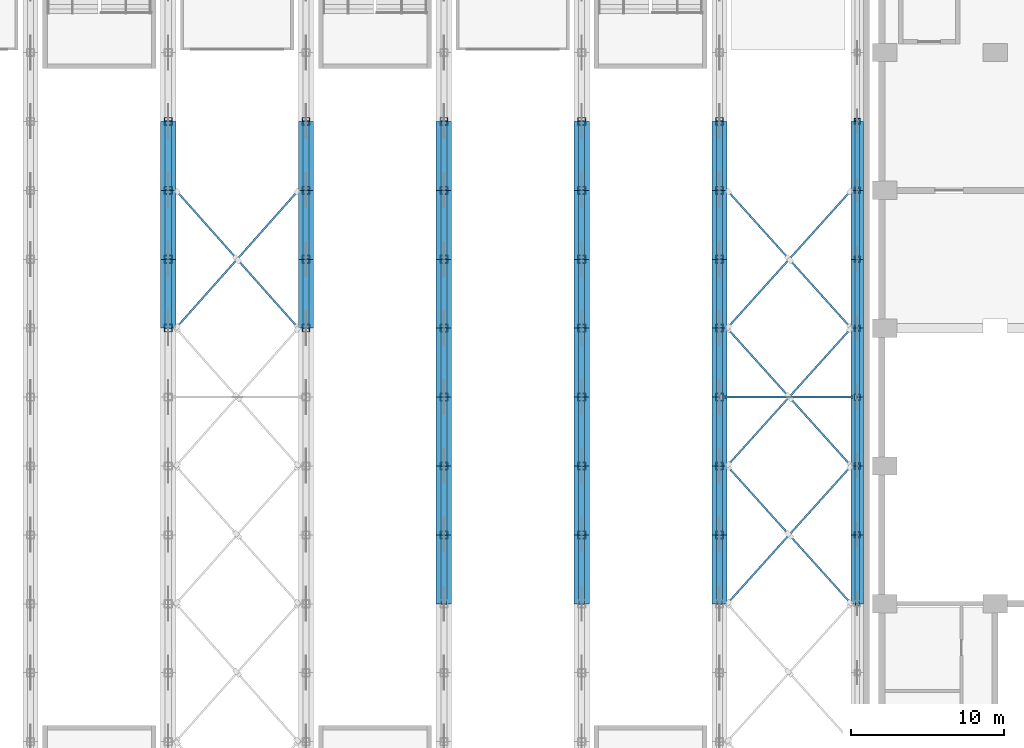
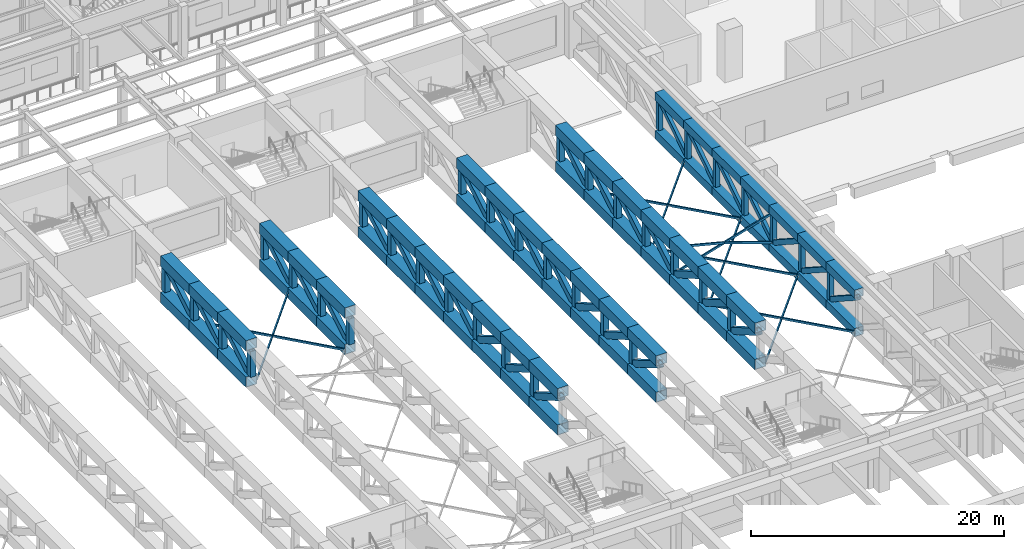
# One storey, part 16 of 76: 153 members.
"""IFC4 building model written with IfcOpenShell, lengths in metres."""

from ifc_helpers import new_model, si_unit, direction, frame, origin, origin_2d, place, context, subcontext, project, spatial, hollow_rectangle, extrude, material, material_profile, profile_set, type_object, element, save


model = new_model("IFC4")

# Units and contexts
model_context = context("Model", 3, precision=1e-05, world=origin(), true_north=direction((0.0, 1.0)))
body_context = subcontext(model_context, "Body", "Model", "MODEL_VIEW")
ifc_project = project(units=[si_unit("LENGTHUNIT", "METRE"), si_unit("AREAUNIT", "SQUARE_METRE"), si_unit("VOLUMEUNIT", "CUBIC_METRE"), si_unit("PLANEANGLEUNIT", "RADIAN"), si_unit("MASSUNIT", "GRAM", prefix="KILO")], contexts=[model_context])

# Site, building, storey
site_placement = place(None, origin())
site = spatial("IfcSite", under=ifc_project, at=site_placement, CompositionType="ELEMENT")
building_placement = place(site_placement, origin())
building = spatial("IfcBuilding", under=site, at=building_placement, Name="Aravalli Gate Trade Fair Centre", CompositionType="ELEMENT")
storey_placement = place(building_placement, frame((0.0, 0.0, 10.0)))
storey = spatial("IfcBuildingStorey", under=building, at=storey_placement, Name="L02", CompositionType="ELEMENT", Elevation=10.0)

# Members
ifc_material = material(Name="Steel E350", Category="steel")
ifc_material_profile_1 = material_profile(ifc_material, hollow_rectangle(XDim=0.1201171875, YDim=0.199951171875, WallThickness=0.008056640625, at=origin_2d()), Name="RHS 200x120x8")
ifc_profile_set_1 = profile_set([ifc_material_profile_1], Name="Steel E350")
member_type_1 = type_object("IfcMemberType", Name="Cross frame brace RHS 200x120x8", PredefinedType="BRACE", material=ifc_profile_set_1)
member_1_placement = place(storey_placement, frame((60.5, 82.0, 0.5), z_axis=(0.66436383883, 0.747409318684, 0.0), x_axis=(-0.747409318684, 0.66436383883, 0.0)))
element("IfcMember", 1, at=member_1_placement, inside=storey, type_object=member_type_1, Name="FT plan brace bay 7 cell 5A", PredefinedType="BRACE", context=body_context, shape_type="SweptSolid", body=[
    extrude(hollow_rectangle(XDim=0.1201171875, YDim=0.199951171875, WallThickness=0.008056640625, at=origin_2d()), origin(), (0.0, 0.0, 1.0), 12.04150390625),
])
for number, where, z_axis, x_axis, name in (
    (2, (60.5, 91.0, 0.5), (0.66436383883, -0.747409318684, 0.0), (0.747409318684, 0.66436383883, 0.0), "FT plan brace bay 7 cell 5B half 1"),
    (3, (64.5, 86.5, 0.5), (0.66436383883, -0.747409318684, 0.0), (0.747409318684, 0.66436383883, 0.0), "FT plan brace bay 7 cell 5B half 2"),
):
    element("IfcMember", number, at=place(storey_placement, frame(where, z_axis=z_axis, x_axis=x_axis)), inside=storey, type_object=member_type_1, Name=name, PredefinedType="BRACE", context=body_context, shape_type="SweptSolid", body=[
        extrude(hollow_rectangle(XDim=0.1201171875, YDim=0.199951171875, WallThickness=0.008056640625, at=origin_2d()), origin(), (0.0, 0.0, 1.0), 6.020751953125),
    ])
member_2_placement = place(storey_placement, frame((96.5, 64.0, 0.5), z_axis=(0.66896918753, 0.743290135906, 0.0), x_axis=(-0.743290135906, 0.66896918753, 0.0)))
element("IfcMember", 4, at=member_2_placement, inside=storey, type_object=member_type_1, Name="FT plan brace bay 11 cell 3A", PredefinedType="BRACE", context=body_context, shape_type="SweptSolid", body=[
    extrude(hollow_rectangle(XDim=0.1201171875, YDim=0.199951171875, WallThickness=0.008056640625, at=origin_2d()), origin(), (0.0, 0.0, 1.0), 12.1083984375),
])
for number, where, z_axis, x_axis, name in (
    (5, (96.5, 73.0, 0.5), (0.66896918753, -0.743290135906, 0.0), (0.743290135906, 0.66896918753, 0.0), "FT plan brace bay 11 cell 3B half 1"),
    (6, (100.550048828125, 68.5, 0.5), (0.66896918753, -0.743290135906, 0.0), (0.743290135906, 0.66896918753, 0.0), "FT plan brace bay 11 cell 3B half 2"),
):
    element("IfcMember", number, at=place(storey_placement, frame(where, z_axis=z_axis, x_axis=x_axis)), inside=storey, type_object=member_type_1, Name=name, PredefinedType="BRACE", context=body_context, shape_type="SweptSolid", body=[
        extrude(hollow_rectangle(XDim=0.1201171875, YDim=0.199951171875, WallThickness=0.008056640625, at=origin_2d()), origin(), (0.0, 0.0, 1.0), 6.05419921875),
    ])
member_3_placement = place(storey_placement, frame((96.5, 73.0, 0.5), z_axis=(0.66896918753, 0.743290135906, 0.0), x_axis=(-0.743290135906, 0.66896918753, 0.0)))
element("IfcMember", 7, at=member_3_placement, inside=storey, type_object=member_type_1, Name="FT plan brace bay 11 cell 4A", PredefinedType="BRACE", context=body_context, shape_type="SweptSolid", body=[
    extrude(hollow_rectangle(XDim=0.1201171875, YDim=0.199951171875, WallThickness=0.008056640625, at=origin_2d()), origin(), (0.0, 0.0, 1.0), 12.1083984375),
])
for number, where, z_axis, x_axis, name in (
    (8, (96.5, 82.0, 0.5), (0.66896918753, -0.743290135906, 0.0), (0.743290135906, 0.66896918753, 0.0), "FT plan brace bay 11 cell 4B half 1"),
    (9, (100.550048828125, 77.5, 0.5), (0.66896918753, -0.743290135906, 0.0), (0.743290135906, 0.66896918753, 0.0), "FT plan brace bay 11 cell 4B half 2"),
):
    element("IfcMember", number, at=place(storey_placement, frame(where, z_axis=z_axis, x_axis=x_axis)), inside=storey, type_object=member_type_1, Name=name, PredefinedType="BRACE", context=body_context, shape_type="SweptSolid", body=[
        extrude(hollow_rectangle(XDim=0.1201171875, YDim=0.199951171875, WallThickness=0.008056640625, at=origin_2d()), origin(), (0.0, 0.0, 1.0), 6.05419921875),
    ])
member_4_placement = place(storey_placement, frame((96.5, 82.0, 0.5), z_axis=(0.66896918753, 0.743290135906, 0.0), x_axis=(-0.743290135906, 0.66896918753, 0.0)))
element("IfcMember", 10, at=member_4_placement, inside=storey, type_object=member_type_1, Name="FT plan brace bay 11 cell 5A", PredefinedType="BRACE", context=body_context, shape_type="SweptSolid", body=[
    extrude(hollow_rectangle(XDim=0.1201171875, YDim=0.199951171875, WallThickness=0.008056640625, at=origin_2d()), origin(), (0.0, 0.0, 1.0), 12.1083984375),
])
for number, where, z_axis, x_axis, name in (
    (11, (96.5, 91.0, 0.5), (0.66896918753, -0.743290135906, 0.0), (0.743290135906, 0.66896918753, 0.0), "FT plan brace bay 11 cell 5B half 1"),
    (12, (100.550048828125, 86.5, 0.5), (0.66896918753, -0.743290135906, 0.0), (0.743290135906, 0.66896918753, 0.0), "FT plan brace bay 11 cell 5B half 2"),
):
    element("IfcMember", number, at=place(storey_placement, frame(where, z_axis=z_axis, x_axis=x_axis)), inside=storey, type_object=member_type_1, Name=name, PredefinedType="BRACE", context=body_context, shape_type="SweptSolid", body=[
        extrude(hollow_rectangle(XDim=0.1201171875, YDim=0.199951171875, WallThickness=0.008056640625, at=origin_2d()), origin(), (0.0, 0.0, 1.0), 6.05419921875),
    ])
member_5_placement = place(storey_placement, frame((96.0, 77.5, 1.0), z_axis=(0.957827715452, 0.0, 0.287343118088), x_axis=(0.0, 1.0, 0.0)))
element("IfcMember", 13, at=member_5_placement, inside=storey, type_object=member_type_1, Name="FT vertical brace bay 11 frame 2A", PredefinedType="BRACE", context=body_context, shape_type="SweptSolid", body=[
    extrude(hollow_rectangle(XDim=0.1201171875, YDim=0.199951171875, WallThickness=0.008056640625, at=origin_2d()), origin(), (0.0, 0.0, 1.0), 9.396240234375),
])
member_6_placement = place(storey_placement, frame((96.0, 77.5, 3.5), z_axis=(0.968867829559, 0.0, -0.247578530665), x_axis=(0.0, 1.0, 0.0)))
element("IfcMember", 14, at=member_6_placement, inside=storey, type_object=member_type_1, Name="FT vertical brace bay 11 frame 2B half 1", PredefinedType="BRACE", context=body_context, shape_type="SweptSolid", body=[
    extrude(hollow_rectangle(XDim=0.1201171875, YDim=0.199951171875, WallThickness=0.008056640625, at=origin_2d()), origin(), (0.0, 0.0, 1.0), 4.64453125),
])
member_7_placement = place(storey_placement, frame((100.5, 77.5, 2.35009765625), z_axis=(0.945481407862, 0.0, -0.325676077394), x_axis=(0.0, 1.0, 0.0)))
element("IfcMember", 15, at=member_7_placement, inside=storey, type_object=member_type_1, Name="FT vertical brace bay 11 frame 2B half 2", PredefinedType="BRACE", context=body_context, shape_type="SweptSolid", body=[
    extrude(hollow_rectangle(XDim=0.1201171875, YDim=0.199951171875, WallThickness=0.008056640625, at=origin_2d()), origin(), (0.0, 0.0, 1.0), 4.759521484375),
])
ifc_material_profile_2 = material_profile(ifc_material, hollow_rectangle(XDim=1.0, YDim=1.0, WallThickness=0.050048828125, at=origin_2d()), Name="BOX 1000x1000x50")
ifc_profile_set_2 = profile_set([ifc_material_profile_2], Name="Steel E350")
member_type_2 = type_object("IfcMemberType", Name="FT1 chord BOX 1000x1000x50", PredefinedType="CHORD", material=ifc_profile_set_2)
for number, where, z_axis, x_axis, name in (
    (16, (60.0, 82.0, 0.5), (0.0, 1.0, 0.0), (-1.0, 0.0, 0.0), "FT1 line 7 bottom chord 9"),
    (17, (60.0, 82.0, 4.0), (0.0, 1.0, 0.0), (-1.0, 0.0, 0.0), "FT1 line 7 top chord 9"),
    (18, (60.0, 86.5, 0.5), (0.0, 1.0, 0.0), (-1.0, 0.0, 0.0), "FT1 line 7 bottom chord 10"),
    (19, (60.0, 86.5, 4.0), (0.0, 1.0, 0.0), (-1.0, 0.0, 0.0), "FT1 line 7 top chord 10"),
    (20, (60.0, 91.0, 0.5), (0.0, 1.0, 0.0), (-1.0, 0.0, 0.0), "FT1 line 7 bottom chord 11"),
    (21, (60.0, 91.0, 4.0), (0.0, 1.0, 0.0), (-1.0, 0.0, 0.0), "FT1 line 7 top chord 11"),
    (22, (69.0, 82.0, 0.5), (0.0, 1.0, 0.0), (-1.0, 0.0, 0.0), "FT1 line 8 bottom chord 9"),
    (23, (69.0, 82.0, 4.0), (0.0, 1.0, 0.0), (-1.0, 0.0, 0.0), "FT1 line 8 top chord 9"),
    (24, (69.0, 86.5, 0.5), (0.0, 1.0, 0.0), (-1.0, 0.0, 0.0), "FT1 line 8 bottom chord 10"),
    (25, (69.0, 86.5, 4.0), (0.0, 1.0, 0.0), (-1.0, 0.0, 0.0), "FT1 line 8 top chord 10"),
    (26, (69.0, 91.0, 0.5), (0.0, 1.0, 0.0), (-1.0, 0.0, 0.0), "FT1 line 8 bottom chord 11"),
    (27, (69.0, 91.0, 4.0), (0.0, 1.0, 0.0), (-1.0, 0.0, 0.0), "FT1 line 8 top chord 11"),
    (28, (78.0, 64.0, 0.5), (0.0, 1.0, 0.0), (-1.0, 0.0, 0.0), "FT1 line 9 bottom chord 5"),
    (29, (78.0, 64.0, 4.0), (0.0, 1.0, 0.0), (-1.0, 0.0, 0.0), "FT1 line 9 top chord 5"),
    (30, (78.0, 68.5, 0.5), (0.0, 1.0, 0.0), (-1.0, 0.0, 0.0), "FT1 line 9 bottom chord 6"),
    (31, (78.0, 68.5, 4.0), (0.0, 1.0, 0.0), (-1.0, 0.0, 0.0), "FT1 line 9 top chord 6"),
    (32, (78.0, 73.0, 0.5), (0.0, 1.0, 0.0), (-1.0, 0.0, 0.0), "FT1 line 9 bottom chord 7"),
    (33, (78.0, 73.0, 4.0), (0.0, 1.0, 0.0), (-1.0, 0.0, 0.0), "FT1 line 9 top chord 7"),
    (34, (78.0, 77.5, 0.5), (0.0, 1.0, 0.0), (-1.0, 0.0, 0.0), "FT1 line 9 bottom chord 8"),
    (35, (78.0, 77.5, 4.0), (0.0, 1.0, 0.0), (-1.0, 0.0, 0.0), "FT1 line 9 top chord 8"),
    (36, (78.0, 82.0, 0.5), (0.0, 1.0, 0.0), (-1.0, 0.0, 0.0), "FT1 line 9 bottom chord 9"),
    (37, (78.0, 82.0, 4.0), (0.0, 1.0, 0.0), (-1.0, 0.0, 0.0), "FT1 line 9 top chord 9"),
    (38, (78.0, 86.5, 0.5), (0.0, 1.0, 0.0), (-1.0, 0.0, 0.0), "FT1 line 9 bottom chord 10"),
    (39, (78.0, 86.5, 4.0), (0.0, 1.0, 0.0), (-1.0, 0.0, 0.0), "FT1 line 9 top chord 10"),
    (40, (78.0, 91.0, 0.5), (0.0, 1.0, 0.0), (-1.0, 0.0, 0.0), "FT1 line 9 bottom chord 11"),
    (41, (78.0, 91.0, 4.0), (0.0, 1.0, 0.0), (-1.0, 0.0, 0.0), "FT1 line 9 top chord 11"),
    (42, (87.0, 64.0, 0.5), (0.0, 1.0, 0.0), (-1.0, 0.0, 0.0), "FT1 line 10 bottom chord 5"),
    (43, (87.0, 64.0, 4.0), (0.0, 1.0, 0.0), (-1.0, 0.0, 0.0), "FT1 line 10 top chord 5"),
    (44, (87.0, 68.5, 0.5), (0.0, 1.0, 0.0), (-1.0, 0.0, 0.0), "FT1 line 10 bottom chord 6"),
    (45, (87.0, 68.5, 4.0), (0.0, 1.0, 0.0), (-1.0, 0.0, 0.0), "FT1 line 10 top chord 6"),
    (46, (87.0, 73.0, 0.5), (0.0, 1.0, 0.0), (-1.0, 0.0, 0.0), "FT1 line 10 bottom chord 7"),
    (47, (87.0, 73.0, 4.0), (0.0, 1.0, 0.0), (-1.0, 0.0, 0.0), "FT1 line 10 top chord 7"),
    (48, (87.0, 77.5, 0.5), (0.0, 1.0, 0.0), (-1.0, 0.0, 0.0), "FT1 line 10 bottom chord 8"),
    (49, (87.0, 77.5, 4.0), (0.0, 1.0, 0.0), (-1.0, 0.0, 0.0), "FT1 line 10 top chord 8"),
    (50, (87.0, 82.0, 0.5), (0.0, 1.0, 0.0), (-1.0, 0.0, 0.0), "FT1 line 10 bottom chord 9"),
    (51, (87.0, 82.0, 4.0), (0.0, 1.0, 0.0), (-1.0, 0.0, 0.0), "FT1 line 10 top chord 9"),
    (52, (87.0, 86.5, 0.5), (0.0, 1.0, 0.0), (-1.0, 0.0, 0.0), "FT1 line 10 bottom chord 10"),
    (53, (87.0, 86.5, 4.0), (0.0, 1.0, 0.0), (-1.0, 0.0, 0.0), "FT1 line 10 top chord 10"),
    (54, (87.0, 91.0, 0.5), (0.0, 1.0, 0.0), (-1.0, 0.0, 0.0), "FT1 line 10 bottom chord 11"),
    (55, (87.0, 91.0, 4.0), (0.0, 1.0, 0.0), (-1.0, 0.0, 0.0), "FT1 line 10 top chord 11"),
    (56, (96.0, 64.0, 0.5), (0.0, 1.0, 0.0), (-1.0, 0.0, 0.0), "FT1 line 11 bottom chord 5"),
    (57, (96.0, 64.0, 4.0), (0.0, 1.0, 0.0), (-1.0, 0.0, 0.0), "FT1 line 11 top chord 5"),
    (58, (96.0, 68.5, 0.5), (0.0, 1.0, 0.0), (-1.0, 0.0, 0.0), "FT1 line 11 bottom chord 6"),
    (59, (96.0, 68.5, 4.0), (0.0, 1.0, 0.0), (-1.0, 0.0, 0.0), "FT1 line 11 top chord 6"),
    (60, (96.0, 73.0, 0.5), (0.0, 1.0, 0.0), (-1.0, 0.0, 0.0), "FT1 line 11 bottom chord 7"),
    (61, (96.0, 73.0, 4.0), (0.0, 1.0, 0.0), (-1.0, 0.0, 0.0), "FT1 line 11 top chord 7"),
    (62, (96.0, 77.5, 0.5), (0.0, 1.0, 0.0), (-1.0, 0.0, 0.0), "FT1 line 11 bottom chord 8"),
    (63, (96.0, 77.5, 4.0), (0.0, 1.0, 0.0), (-1.0, 0.0, 0.0), "FT1 line 11 top chord 8"),
    (64, (96.0, 82.0, 0.5), (0.0, 1.0, 0.0), (-1.0, 0.0, 0.0), "FT1 line 11 bottom chord 9"),
    (65, (96.0, 82.0, 4.0), (0.0, 1.0, 0.0), (-1.0, 0.0, 0.0), "FT1 line 11 top chord 9"),
    (66, (96.0, 86.5, 0.5), (0.0, 1.0, 0.0), (-1.0, 0.0, 0.0), "FT1 line 11 bottom chord 10"),
    (67, (96.0, 86.5, 4.0), (0.0, 1.0, 0.0), (-1.0, 0.0, 0.0), "FT1 line 11 top chord 10"),
    (68, (96.0, 91.0, 0.5), (0.0, 1.0, 0.0), (-1.0, 0.0, 0.0), "FT1 line 11 bottom chord 11"),
    (69, (96.0, 91.0, 4.0), (0.0, 1.0, 0.0), (-1.0, 0.0, 0.0), "FT1 line 11 top chord 11"),
):
    element("IfcMember", number, at=place(storey_placement, frame(where, z_axis=z_axis, x_axis=x_axis)), inside=storey, type_object=member_type_2, Name=name, PredefinedType="CHORD", context=body_context, shape_type="SweptSolid", body=[
        extrude(hollow_rectangle(XDim=1.0, YDim=1.0, WallThickness=0.050048828125, at=origin_2d()), origin(), (0.0, 0.0, 1.0), 4.5),
    ])
ifc_material_profile_3 = material_profile(ifc_material, hollow_rectangle(XDim=0.39990234375, YDim=0.60009765625, WallThickness=0.030029296875, at=origin_2d()), Name="RHS 600x400x30")
ifc_profile_set_3 = profile_set([ifc_material_profile_3], Name="Steel E350")
member_type_3 = type_object("IfcMemberType", Name="FT1 diagonal RHS 600x400x30", PredefinedType="BRACE", material=ifc_profile_set_3)
for number, where, z_axis, x_axis, name in (
    (70, (60.0, 86.39501953125, 3.5), (0.0, -0.863999951417, -0.503491890651), (1.0, 0.0, 0.0), "FT1 line 7 diagonal 9"),
    (71, (60.0, 90.89501953125, 3.5), (0.0, -0.863999951417, -0.503491890651), (1.0, 0.0, 0.0), "FT1 line 7 diagonal 10"),
    (72, (60.0, 95.39501953125, 3.5), (0.0, -0.863999951417, -0.503491890651), (1.0, 0.0, 0.0), "FT1 line 7 diagonal 11"),
    (73, (69.0, 86.39501953125, 3.5), (0.0, -0.863999951417, -0.503491890651), (1.0, 0.0, 0.0), "FT1 line 8 diagonal 9"),
    (74, (69.0, 90.89501953125, 3.5), (0.0, -0.863999951417, -0.503491890651), (1.0, 0.0, 0.0), "FT1 line 8 diagonal 10"),
    (75, (69.0, 95.39501953125, 3.5), (0.0, -0.863999951417, -0.503491890651), (1.0, 0.0, 0.0), "FT1 line 8 diagonal 11"),
    (76, (78.0, 64.10498046875, 3.5), (0.0, 0.863999951417, -0.503491890651), (-1.0, 0.0, 0.0), "FT1 line 9 diagonal 5"),
    (77, (78.0, 68.60498046875, 3.5), (0.0, 0.863999951417, -0.503491890651), (-1.0, 0.0, 0.0), "FT1 line 9 diagonal 6"),
    (78, (78.0, 73.10498046875, 3.5), (0.0, 0.863999951417, -0.503491890651), (-1.0, 0.0, 0.0), "FT1 line 9 diagonal 7"),
    (79, (78.0, 81.89501953125, 3.5), (0.0, -0.863999951417, -0.503491890651), (1.0, 0.0, 0.0), "FT1 line 9 diagonal 8"),
    (80, (78.0, 86.39501953125, 3.5), (0.0, -0.863999951417, -0.503491890651), (1.0, 0.0, 0.0), "FT1 line 9 diagonal 9"),
    (81, (78.0, 90.89501953125, 3.5), (0.0, -0.863999951417, -0.503491890651), (1.0, 0.0, 0.0), "FT1 line 9 diagonal 10"),
    (82, (78.0, 95.39501953125, 3.5), (0.0, -0.863999951417, -0.503491890651), (1.0, 0.0, 0.0), "FT1 line 9 diagonal 11"),
    (83, (87.0, 64.10498046875, 3.5), (0.0, 0.863999951417, -0.503491890651), (-1.0, 0.0, 0.0), "FT1 line 10 diagonal 5"),
    (84, (87.0, 68.60498046875, 3.5), (0.0, 0.863999951417, -0.503491890651), (-1.0, 0.0, 0.0), "FT1 line 10 diagonal 6"),
    (85, (87.0, 73.10498046875, 3.5), (0.0, 0.863999951417, -0.503491890651), (-1.0, 0.0, 0.0), "FT1 line 10 diagonal 7"),
    (86, (87.0, 81.89501953125, 3.5), (0.0, -0.863999951417, -0.503491890651), (1.0, 0.0, 0.0), "FT1 line 10 diagonal 8"),
    (87, (87.0, 86.39501953125, 3.5), (0.0, -0.863999951417, -0.503491890651), (1.0, 0.0, 0.0), "FT1 line 10 diagonal 9"),
    (88, (87.0, 90.89501953125, 3.5), (0.0, -0.863999951417, -0.503491890651), (1.0, 0.0, 0.0), "FT1 line 10 diagonal 10"),
    (89, (87.0, 95.39501953125, 3.5), (0.0, -0.863999951417, -0.503491890651), (1.0, 0.0, 0.0), "FT1 line 10 diagonal 11"),
    (90, (96.0, 64.10498046875, 3.5), (0.0, 0.863999951417, -0.503491890651), (-1.0, 0.0, 0.0), "FT1 line 11 diagonal 5"),
    (91, (96.0, 68.60498046875, 3.5), (0.0, 0.863999951417, -0.503491890651), (-1.0, 0.0, 0.0), "FT1 line 11 diagonal 6"),
    (92, (96.0, 73.10498046875, 3.5), (0.0, 0.863999951417, -0.503491890651), (-1.0, 0.0, 0.0), "FT1 line 11 diagonal 7"),
    (93, (96.0, 81.89501953125, 3.5), (0.0, -0.863999951417, -0.503491890651), (1.0, 0.0, 0.0), "FT1 line 11 diagonal 8"),
    (94, (96.0, 86.39501953125, 3.5), (0.0, -0.863999951417, -0.503491890651), (1.0, 0.0, 0.0), "FT1 line 11 diagonal 9"),
    (95, (96.0, 90.89501953125, 3.5), (0.0, -0.863999951417, -0.503491890651), (1.0, 0.0, 0.0), "FT1 line 11 diagonal 10"),
    (96, (96.0, 95.39501953125, 3.5), (0.0, -0.863999951417, -0.503491890651), (1.0, 0.0, 0.0), "FT1 line 11 diagonal 11"),
):
    element("IfcMember", number, at=place(storey_placement, frame(where, z_axis=z_axis, x_axis=x_axis)), inside=storey, type_object=member_type_3, Name=name, PredefinedType="BRACE", context=body_context, shape_type="SweptSolid", body=[
        extrude(hollow_rectangle(XDim=0.39990234375, YDim=0.60009765625, WallThickness=0.030029296875, at=origin_2d()), origin(), (0.0, 0.0, 1.0), 4.96533203125),
    ])
ifc_material_profile_4 = material_profile(ifc_material, hollow_rectangle(XDim=0.5, YDim=0.5, WallThickness=0.02490234375, at=origin_2d()), Name="BOX 500x500x25")
ifc_profile_set_4 = profile_set([ifc_material_profile_4], Name="Steel E350")
member_type_4 = type_object("IfcMemberType", Name="FT1 post BOX 500x500x25", PredefinedType="POST", material=ifc_profile_set_4)
for number, where, z_axis, x_axis, name in (
    (97, (60.0, 82.0, 1.0), (0.0, 0.0, 1.0), (1.0, 0.0, 0.0), "FT1 line 7 post 8"),
    (98, (60.0, 86.5, 1.0), (0.0, 0.0, 1.0), (1.0, 0.0, 0.0), "FT1 line 7 post 9"),
    (99, (60.0, 91.0, 1.0), (0.0, 0.0, 1.0), (1.0, 0.0, 0.0), "FT1 line 7 post 10"),
    (100, (60.0, 95.5, 1.0), (0.0, 0.0, 1.0), (1.0, 0.0, 0.0), "FT1 line 7 post 11"),
    (101, (69.0, 82.0, 1.0), (0.0, 0.0, 1.0), (1.0, 0.0, 0.0), "FT1 line 8 post 8"),
    (102, (69.0, 86.5, 1.0), (0.0, 0.0, 1.0), (1.0, 0.0, 0.0), "FT1 line 8 post 9"),
    (103, (69.0, 91.0, 1.0), (0.0, 0.0, 1.0), (1.0, 0.0, 0.0), "FT1 line 8 post 10"),
    (104, (69.0, 95.5, 1.0), (0.0, 0.0, 1.0), (1.0, 0.0, 0.0), "FT1 line 8 post 11"),
    (105, (78.0, 68.5, 1.0), (0.0, 0.0, 1.0), (1.0, 0.0, 0.0), "FT1 line 9 post 5"),
    (106, (78.0, 73.0, 1.0), (0.0, 0.0, 1.0), (1.0, 0.0, 0.0), "FT1 line 9 post 6"),
    (107, (78.0, 77.5, 1.0), (0.0, 0.0, 1.0), (1.0, 0.0, 0.0), "FT1 line 9 post 7"),
    (108, (78.0, 82.0, 1.0), (0.0, 0.0, 1.0), (1.0, 0.0, 0.0), "FT1 line 9 post 8"),
    (109, (78.0, 86.5, 1.0), (0.0, 0.0, 1.0), (1.0, 0.0, 0.0), "FT1 line 9 post 9"),
    (110, (78.0, 91.0, 1.0), (0.0, 0.0, 1.0), (1.0, 0.0, 0.0), "FT1 line 9 post 10"),
    (111, (78.0, 95.5, 1.0), (0.0, 0.0, 1.0), (1.0, 0.0, 0.0), "FT1 line 9 post 11"),
    (112, (87.0, 68.5, 1.0), (0.0, 0.0, 1.0), (1.0, 0.0, 0.0), "FT1 line 10 post 5"),
    (113, (87.0, 73.0, 1.0), (0.0, 0.0, 1.0), (1.0, 0.0, 0.0), "FT1 line 10 post 6"),
    (114, (87.0, 77.5, 1.0), (0.0, 0.0, 1.0), (1.0, 0.0, 0.0), "FT1 line 10 post 7"),
    (115, (87.0, 82.0, 1.0), (0.0, 0.0, 1.0), (1.0, 0.0, 0.0), "FT1 line 10 post 8"),
    (116, (87.0, 86.5, 1.0), (0.0, 0.0, 1.0), (1.0, 0.0, 0.0), "FT1 line 10 post 9"),
    (117, (87.0, 91.0, 1.0), (0.0, 0.0, 1.0), (1.0, 0.0, 0.0), "FT1 line 10 post 10"),
    (118, (87.0, 95.5, 1.0), (0.0, 0.0, 1.0), (1.0, 0.0, 0.0), "FT1 line 10 post 11"),
    (119, (96.0, 68.5, 1.0), (0.0, 0.0, 1.0), (1.0, 0.0, 0.0), "FT1 line 11 post 5"),
    (120, (96.0, 73.0, 1.0), (0.0, 0.0, 1.0), (1.0, 0.0, 0.0), "FT1 line 11 post 6"),
    (121, (96.0, 77.5, 1.0), (0.0, 0.0, 1.0), (1.0, 0.0, 0.0), "FT1 line 11 post 7"),
    (122, (96.0, 82.0, 1.0), (0.0, 0.0, 1.0), (1.0, 0.0, 0.0), "FT1 line 11 post 8"),
    (123, (96.0, 86.5, 1.0), (0.0, 0.0, 1.0), (1.0, 0.0, 0.0), "FT1 line 11 post 9"),
    (124, (96.0, 91.0, 1.0), (0.0, 0.0, 1.0), (1.0, 0.0, 0.0), "FT1 line 11 post 10"),
    (125, (96.0, 95.5, 1.0), (0.0, 0.0, 1.0), (1.0, 0.0, 0.0), "FT1 line 11 post 11"),
):
    element("IfcMember", number, at=place(storey_placement, frame(where, z_axis=z_axis, x_axis=x_axis)), inside=storey, type_object=member_type_4, Name=name, PredefinedType="POST", context=body_context, shape_type="SweptSolid", body=[
        extrude(hollow_rectangle(XDim=0.5, YDim=0.5, WallThickness=0.02490234375, at=origin_2d()), origin(), (0.0, 0.0, 1.0), 2.5),
    ])
ifc_material_profile_5 = material_profile(ifc_material, hollow_rectangle(XDim=0.800048828125, YDim=0.800048828125, WallThickness=0.0400390625, at=origin_2d()), Name="BOX 800x800x40")
ifc_profile_set_5 = profile_set([ifc_material_profile_5], Name="Steel E350")
member_type_5 = type_object("IfcMemberType", Name="FT2 chord BOX 800x800x40", PredefinedType="CHORD", material=ifc_profile_set_5)
for number, where, z_axis, x_axis, name in (
    (126, (105.0, 64.0, 0.39990234375), (0.0, 1.0, 0.0), (-1.0, 0.0, 0.0), "FT2 line 12 bottom chord 5"),
    (127, (105.0, 64.0, 4.10009765625), (0.0, 1.0, 0.0), (-1.0, 0.0, 0.0), "FT2 line 12 top chord 5"),
    (128, (105.0, 68.5, 0.39990234375), (0.0, 1.0, 0.0), (-1.0, 0.0, 0.0), "FT2 line 12 bottom chord 6"),
    (129, (105.0, 68.5, 4.10009765625), (0.0, 1.0, 0.0), (-1.0, 0.0, 0.0), "FT2 line 12 top chord 6"),
    (130, (105.0, 73.0, 0.39990234375), (0.0, 1.0, 0.0), (-1.0, 0.0, 0.0), "FT2 line 12 bottom chord 7"),
    (131, (105.0, 73.0, 4.10009765625), (0.0, 1.0, 0.0), (-1.0, 0.0, 0.0), "FT2 line 12 top chord 7"),
    (132, (105.0, 77.5, 0.39990234375), (0.0, 1.0, 0.0), (-1.0, 0.0, 0.0), "FT2 line 12 bottom chord 8"),
    (133, (105.0, 77.5, 4.10009765625), (0.0, 1.0, 0.0), (-1.0, 0.0, 0.0), "FT2 line 12 top chord 8"),
    (134, (105.0, 82.0, 0.39990234375), (0.0, 1.0, 0.0), (-1.0, 0.0, 0.0), "FT2 line 12 bottom chord 9"),
    (135, (105.0, 82.0, 4.10009765625), (0.0, 1.0, 0.0), (-1.0, 0.0, 0.0), "FT2 line 12 top chord 9"),
    (136, (105.0, 86.5, 0.39990234375), (0.0, 1.0, 0.0), (-1.0, 0.0, 0.0), "FT2 line 12 bottom chord 10"),
    (137, (105.0, 86.5, 4.10009765625), (0.0, 1.0, 0.0), (-1.0, 0.0, 0.0), "FT2 line 12 top chord 10"),
    (138, (105.0, 91.0, 0.39990234375), (0.0, 1.0, 0.0), (-1.0, 0.0, 0.0), "FT2 line 12 bottom chord 11"),
    (139, (105.0, 91.0, 4.10009765625), (0.0, 1.0, 0.0), (-1.0, 0.0, 0.0), "FT2 line 12 top chord 11"),
):
    element("IfcMember", number, at=place(storey_placement, frame(where, z_axis=z_axis, x_axis=x_axis)), inside=storey, type_object=member_type_5, Name=name, PredefinedType="CHORD", context=body_context, shape_type="SweptSolid", body=[
        extrude(hollow_rectangle(XDim=0.800048828125, YDim=0.800048828125, WallThickness=0.0400390625, at=origin_2d()), origin(), (0.0, 0.0, 1.0), 4.5),
    ])
ifc_material_profile_6 = material_profile(ifc_material, hollow_rectangle(XDim=0.300048828125, YDim=0.449951171875, WallThickness=0.02001953125, at=origin_2d()), Name="RHS 450x300x20")
ifc_profile_set_6 = profile_set([ifc_material_profile_6], Name="Steel E350")
member_type_6 = type_object("IfcMemberType", Name="FT2 diagonal RHS 450x300x20", PredefinedType="BRACE", material=ifc_profile_set_6)
for number, where, z_axis, x_axis, name in (
    (140, (105.0, 64.0, 3.699951171875), (0.0, 0.84057934116, -0.541688444786), (-1.0, 0.0, 0.0), "FT2 line 12 diagonal 5"),
    (141, (105.0, 68.5, 3.699951171875), (0.0, 0.84057934116, -0.541688444786), (-1.0, 0.0, 0.0), "FT2 line 12 diagonal 6"),
    (142, (105.0, 73.0, 3.699951171875), (0.0, 0.84057934116, -0.541688444786), (-1.0, 0.0, 0.0), "FT2 line 12 diagonal 7"),
    (143, (105.0, 82.0, 3.699951171875), (0.0, -0.84057934116, -0.541688444786), (1.0, 0.0, 0.0), "FT2 line 12 diagonal 8"),
    (144, (105.0, 86.5, 3.699951171875), (0.0, -0.84057934116, -0.541688444786), (1.0, 0.0, 0.0), "FT2 line 12 diagonal 9"),
    (145, (105.0, 91.0, 3.699951171875), (0.0, -0.84057934116, -0.541688444786), (1.0, 0.0, 0.0), "FT2 line 12 diagonal 10"),
    (146, (105.0, 95.5, 3.699951171875), (0.0, -0.84057934116, -0.541688444786), (1.0, 0.0, 0.0), "FT2 line 12 diagonal 11"),
):
    element("IfcMember", number, at=place(storey_placement, frame(where, z_axis=z_axis, x_axis=x_axis)), inside=storey, type_object=member_type_6, Name=name, PredefinedType="BRACE", context=body_context, shape_type="SweptSolid", body=[
        extrude(hollow_rectangle(XDim=0.300048828125, YDim=0.449951171875, WallThickness=0.02001953125, at=origin_2d()), origin(), (0.0, 0.0, 1.0), 5.353515625),
    ])
ifc_material_profile_7 = material_profile(ifc_material, hollow_rectangle(XDim=0.39990234375, YDim=0.39990234375, WallThickness=0.02001953125, at=origin_2d()), Name="BOX 400x400x20")
ifc_profile_set_7 = profile_set([ifc_material_profile_7], Name="Steel E350")
member_type_7 = type_object("IfcMemberType", Name="FT2 post BOX 400x400x20", PredefinedType="POST", material=ifc_profile_set_7)
for number, where, z_axis, x_axis, name in (
    (147, (105.0, 68.5, 0.800048828125), (0.0, 0.0, 1.0), (1.0, 0.0, 0.0), "FT2 line 12 post 5"),
    (148, (105.0, 73.0, 0.800048828125), (0.0, 0.0, 1.0), (1.0, 0.0, 0.0), "FT2 line 12 post 6"),
    (149, (105.0, 77.5, 0.800048828125), (0.0, 0.0, 1.0), (1.0, 0.0, 0.0), "FT2 line 12 post 7"),
    (150, (105.0, 82.0, 0.800048828125), (0.0, 0.0, 1.0), (1.0, 0.0, 0.0), "FT2 line 12 post 8"),
    (151, (105.0, 86.5, 0.800048828125), (0.0, 0.0, 1.0), (1.0, 0.0, 0.0), "FT2 line 12 post 9"),
    (152, (105.0, 91.0, 0.800048828125), (0.0, 0.0, 1.0), (1.0, 0.0, 0.0), "FT2 line 12 post 10"),
    (153, (105.0, 95.5, 0.800048828125), (0.0, 0.0, 1.0), (1.0, 0.0, 0.0), "FT2 line 12 post 11"),
):
    element("IfcMember", number, at=place(storey_placement, frame(where, z_axis=z_axis, x_axis=x_axis)), inside=storey, type_object=member_type_7, Name=name, PredefinedType="POST", context=body_context, shape_type="SweptSolid", body=[
        extrude(hollow_rectangle(XDim=0.39990234375, YDim=0.39990234375, WallThickness=0.02001953125, at=origin_2d()), origin(), (0.0, 0.0, 1.0), 2.89990234375),
    ])

save(model, "model.ifc")
